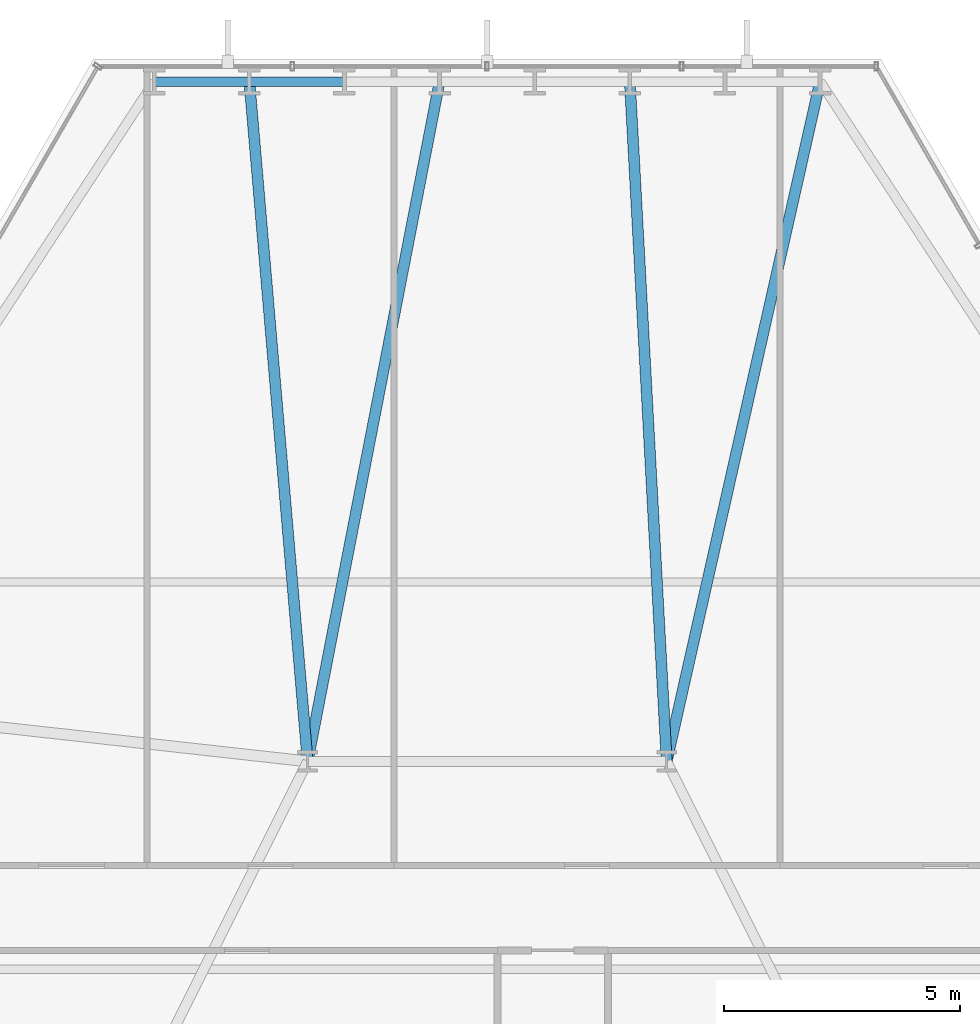
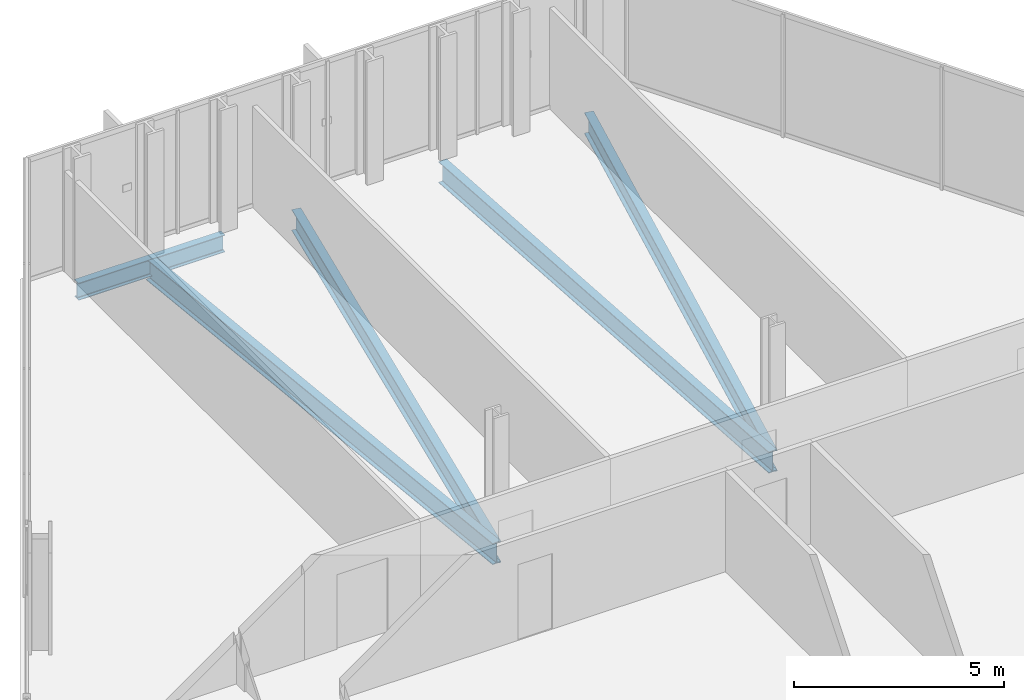
# One storey, part 21 of 33: 6 beams.
"""IFC4 building model written with IfcOpenShell, lengths in metres."""

from ifc_helpers import new_model, si_unit, direction, frame, origin, origin_2d, place, context, subcontext, project, spatial, i_section, extrude, material, material_profile, profile_set, type_object, element, save


model = new_model("IFC4")

# Units and contexts
model_context = context("Model", 3, precision=1e-05, world=origin(), true_north=direction((0.0, 1.0)))
body_context = subcontext(model_context, "Body", "Model", "MODEL_VIEW")
ifc_project = project(units=[si_unit("LENGTHUNIT", "METRE"), si_unit("AREAUNIT", "SQUARE_METRE"), si_unit("VOLUMEUNIT", "CUBIC_METRE"), si_unit("PLANEANGLEUNIT", "RADIAN"), si_unit("MASSUNIT", "GRAM", prefix="KILO")], contexts=[model_context])

# Site, building, storey
site_placement = place(None, origin())
site = spatial("IfcSite", under=ifc_project, at=site_placement, CompositionType="ELEMENT")
building_placement = place(site_placement, origin())
building = spatial("IfcBuilding", under=site, at=building_placement, Name="Ndaravel Arena Tower", CompositionType="ELEMENT")
storey_placement = place(building_placement, frame((0.0, 0.0, 36.0)))
storey = spatial("IfcBuildingStorey", under=building, at=storey_placement, Name="L06", CompositionType="ELEMENT", Elevation=36.0)

# Beams
ifc_material_1 = material(Name="Steel S355", Category="steel")
ifc_material_profile_1 = material_profile(ifc_material_1, i_section(OverallWidth=0.230224609375, OverallDepth=0.6171875, WebThickness=0.01318359375, FlangeThickness=0.022216796875, FilletRadius=0.0126953125, at=origin_2d()), Name="UB 610x229x140")
ifc_profile_set_1 = profile_set([ifc_material_profile_1], Name="Steel S355")
beam_type_1 = type_object("IfcBeamType", Name="BM-GIRD-UB610B", PredefinedType="BEAM", material=ifc_profile_set_1)
beam_1_placement = place(storey_placement, frame((49.04736328125, 45.590087890625, -0.528564453125), z_axis=(-0.220127275775, -0.975471159215, 0.0), x_axis=(0.975471159215, -0.220127275775, 0.0)))
element("IfcBeam", 1, at=beam_1_placement, inside=storey, type_object=beam_type_1, Name="L06 Radial Floor Girder FG-11", PredefinedType="BEAM", context=body_context, shape_type="SweptSolid", body=[
    extrude(i_section(OverallWidth=0.230224609375, OverallDepth=0.6171875, WebThickness=0.01318359375, FlangeThickness=0.022216796875, FilletRadius=0.0126953125, at=origin_2d()), origin(), (0.0, 0.0, 1.0), 14.751953125),
])
beam_2_placement = place(storey_placement, frame((45.020263671875, 45.590087890625, -0.528564453125), z_axis=(0.054109477438, -0.998535009127, 0.0), x_axis=(0.998535009127, 0.054109477438, 0.0)))
element("IfcBeam", 2, at=beam_2_placement, inside=storey, type_object=beam_type_1, Name="L06 Radial Floor Girder FG-13", PredefinedType="BEAM", context=body_context, shape_type="SweptSolid", body=[
    extrude(i_section(OverallWidth=0.230224609375, OverallDepth=0.6171875, WebThickness=0.01318359375, FlangeThickness=0.022216796875, FilletRadius=0.0126953125, at=origin_2d()), origin(), (0.0, 0.0, 1.0), 14.4111328125),
])
beam_3_placement = place(storey_placement, frame((40.9931640625, 45.590087890625, -0.528564453125), z_axis=(-0.190549576234, -0.981677573848, 0.0), x_axis=(0.981677573848, -0.190549576234, 0.0)))
element("IfcBeam", 3, at=beam_3_placement, inside=storey, type_object=beam_type_1, Name="L06 Radial Floor Girder FG-15", PredefinedType="BEAM", context=body_context, shape_type="SweptSolid", body=[
    extrude(i_section(OverallWidth=0.230224609375, OverallDepth=0.6171875, WebThickness=0.01318359375, FlangeThickness=0.022216796875, FilletRadius=0.0126953125, at=origin_2d()), origin(), (0.0, 0.0, 1.0), 14.65869140625),
])
beam_4_placement = place(storey_placement, frame((36.96630859375, 45.590087890625, -0.528564453125), z_axis=(0.085415045216, -0.996345457184, 0.0), x_axis=(0.996345457184, 0.085415045216, 0.0)))
element("IfcBeam", 4, at=beam_4_placement, inside=storey, type_object=beam_type_1, Name="L06 Radial Floor Girder FG-17", PredefinedType="BEAM", context=body_context, shape_type="SweptSolid", body=[
    extrude(i_section(OverallWidth=0.230224609375, OverallDepth=0.6171875, WebThickness=0.01318359375, FlangeThickness=0.022216796875, FilletRadius=0.0126953125, at=origin_2d()), origin(), (0.0, 0.0, 1.0), 14.44287109375),
])
ifc_material_2 = material(Name="Steel S355", Category="steel")
ifc_material_profile_2 = material_profile(ifc_material_2, i_section(OverallWidth=0.199951171875, OverallDepth=0.5, WebThickness=0.01025390625, FlangeThickness=0.01611328125, FilletRadius=0.02099609375, at=origin_2d()), Name="IPE 500")
ifc_profile_set_2 = profile_set([ifc_material_profile_2], Name="Steel S355")
beam_type_2 = type_object("IfcBeamType", Name="BM-SPAN-IPE500", PredefinedType="SPANDREL", material=ifc_profile_set_2)
beam_5_placement = place(storey_placement, frame((38.979736328125, 45.590087890625, -0.469970703125), z_axis=(-1.0, 0.0, 0.0), x_axis=(0.0, -1.0, 0.0)))
element("IfcBeam", 5, at=beam_5_placement, inside=storey, type_object=beam_type_2, Name="L06 Perimeter Spandrel Beam SP-16", PredefinedType="SPANDREL", context=body_context, shape_type="SweptSolid", body=[
    extrude(i_section(OverallWidth=0.199951171875, OverallDepth=0.5, WebThickness=0.01025390625, FlangeThickness=0.01611328125, FilletRadius=0.02099609375, at=origin_2d()), origin(), (0.0, 0.0, 1.0), 2.013427734375),
])
beam_6_placement = place(storey_placement, frame((36.96630859375, 45.590087890625, -0.469970703125), z_axis=(-1.0, 0.0, 0.0), x_axis=(0.0, -1.0, 0.0)))
element("IfcBeam", 6, at=beam_6_placement, inside=storey, type_object=beam_type_2, Name="L06 Perimeter Spandrel Beam SP-17", PredefinedType="SPANDREL", context=body_context, shape_type="SweptSolid", body=[
    extrude(i_section(OverallWidth=0.199951171875, OverallDepth=0.5, WebThickness=0.01025390625, FlangeThickness=0.01611328125, FilletRadius=0.02099609375, at=origin_2d()), origin(), (0.0, 0.0, 1.0), 2.013671875),
])

save(model, "model.ifc")
